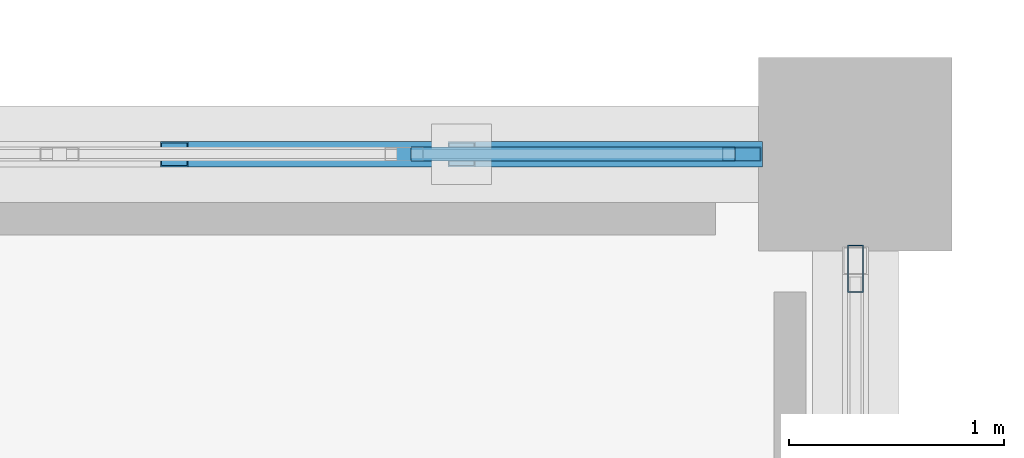
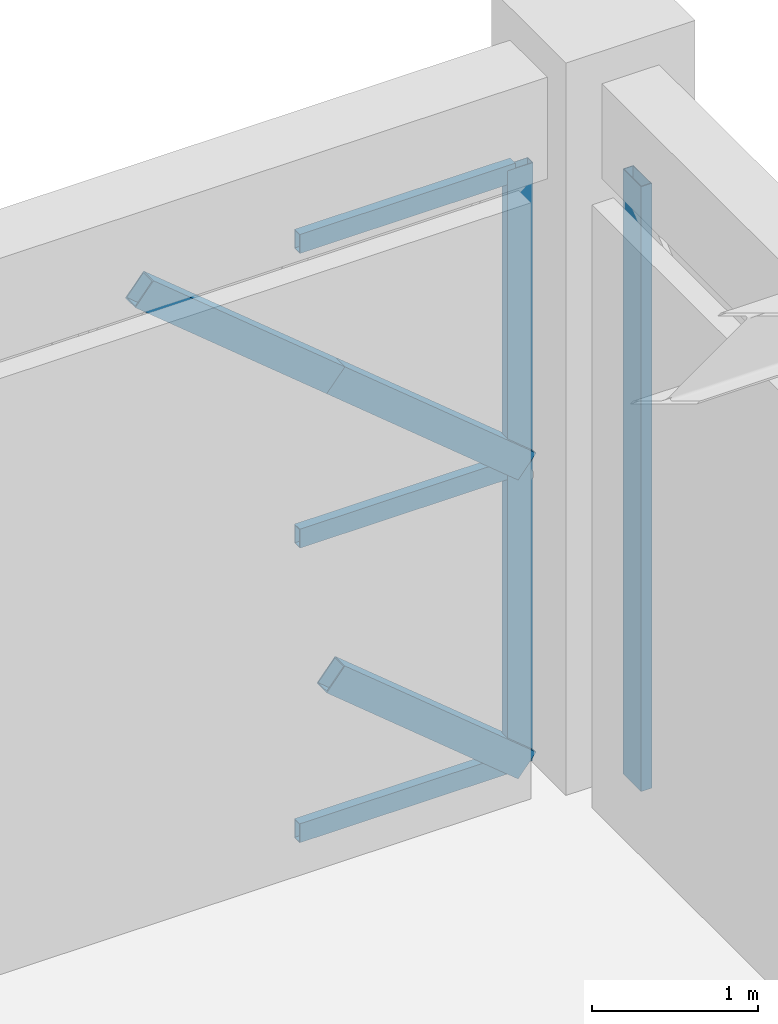
# One storey, part 102 of 155: 8 members, 2 elements without a shape of their own.
"""IFC4 building model written with IfcOpenShell, lengths in metres."""

from ifc_helpers import new_model, si_unit, direction, frame, origin, origin_2d, place, context, subcontext, project, spatial, hollow_rectangle, extrude, material, material_profile, profile_set, type_object, element, aggregate, save


model = new_model("IFC4")

# Units and contexts
model_context = context("Model", 3, precision=1e-05, world=origin(), true_north=direction((0.0, 1.0)))
body_context = subcontext(model_context, "Body", "Model", "MODEL_VIEW")
ifc_project = project(units=[si_unit("LENGTHUNIT", "METRE"), si_unit("AREAUNIT", "SQUARE_METRE"), si_unit("VOLUMEUNIT", "CUBIC_METRE"), si_unit("PLANEANGLEUNIT", "RADIAN"), si_unit("MASSUNIT", "GRAM", prefix="KILO")], contexts=[model_context])

# Site, building, storey
site_placement = place(None, origin())
site = spatial("IfcSite", under=ifc_project, at=site_placement, CompositionType="ELEMENT")
building_placement = place(site_placement, origin())
building = spatial("IfcBuilding", under=site, at=building_placement, Name="Haizhuo Lancet Aquarium", CompositionType="ELEMENT")
storey_placement = place(building_placement, frame((0.0, 0.0, 10.800048828125)))
storey = spatial("IfcBuildingStorey", under=building, at=storey_placement, Name="L02", CompositionType="ELEMENT", Elevation=10.800048828125)

# Curtain wall, member
ifc_material_1 = material(Name="Aluminium 6063-T6", Category="aluminium")
curtain_wall_type_1 = type_object("IfcCurtainWallType", Name="CWO-8010x4410", PredefinedType="NOTDEFINED", material=ifc_material_1)
curtain_wall_1_placement = place(storey_placement, origin())
curtain_wall_1 = element("IfcCurtainWall", 1, at=curtain_wall_1_placement, inside=storey, type_object=curtain_wall_type_1, Name="L02 curtain wall CW-V3-L02-055", PredefinedType="NOTDEFINED")
ifc_material_profile_1 = material_profile(ifc_material_1, hollow_rectangle(XDim=0.06494140625, YDim=0.179931640625, WallThickness=0.00390625, at=origin_2d()), Name="ALU-M 65x180x4")
ifc_profile_set_1 = profile_set([ifc_material_profile_1], Name="Aluminium 6063-T6")
member_type_1 = type_object("IfcMemberType", Name="CW-MUL-1", PredefinedType="MULLION", material=ifc_profile_set_1)
member_1_placement = place(storey_placement, frame((71.471923828125, -9.0, 0.0), z_axis=(0.0, 0.0, 1.0), x_axis=(0.0, 1.0, 0.0)))
member_1 = element("IfcMember", 2, at=member_1_placement, type_object=member_type_1, Name="CWO-80x44 mullion 6", PredefinedType="MULLION", context=body_context, shape_type="SweptSolid", body=[
    extrude(hollow_rectangle(XDim=0.06494140625, YDim=0.179931640625, WallThickness=0.00390625, at=origin_2d()), origin(), (0.0, 0.0, 1.0), 4.409912109375),
])

curtain_wall_type_2 = type_object("IfcCurtainWallType", Name="CWO-8010x4460", PredefinedType="NOTDEFINED", material=ifc_material_1)
curtain_wall_2_placement = place(storey_placement, origin())
curtain_wall_2 = element("IfcCurtainWall", 3, at=curtain_wall_2_placement, inside=storey, type_object=curtain_wall_type_2, Name="L02 curtain wall CW-V3-L02-056", PredefinedType="NOTDEFINED")
ifc_material_profile_2 = material_profile(ifc_material_1, hollow_rectangle(XDim=0.074951171875, YDim=0.219970703125, WallThickness=0.0048828125, at=origin_2d()), Name="ALU-M 75x220x5")
ifc_profile_set_2 = profile_set([ifc_material_profile_2], Name="Aluminium 6063-T6")
member_type_2 = type_object("IfcMemberType", Name="CW-MUL-2", PredefinedType="MULLION", material=ifc_profile_set_2)
member_2_placement = place(storey_placement, frame((72.0, -9.531982421875, 0.0), z_axis=(0.0, 0.0, 1.0), x_axis=(1.0, 0.0, 0.0)))
member_2 = element("IfcMember", 4, at=member_2_placement, type_object=member_type_2, Name="CWO-80x44 mullion 1", PredefinedType="MULLION", context=body_context, shape_type="SweptSolid", body=[
    extrude(hollow_rectangle(XDim=0.074951171875, YDim=0.219970703125, WallThickness=0.0048828125, at=origin_2d()), origin(), (0.0, 0.0, 1.0), 4.4599609375),
])
aggregate(curtain_wall_2, [member_2])

# Member
ifc_material_profile_3 = material_profile(ifc_material_1, hollow_rectangle(XDim=0.06494140625, YDim=0.139892578125, WallThickness=0.00390625, at=origin_2d()), Name="ALU-T 65x140x4")
ifc_profile_set_3 = profile_set([ifc_material_profile_3], Name="Aluminium 6063-T6")
member_type_3 = type_object("IfcMemberType", Name="CW-TRN-1", PredefinedType="NOTDEFINED", material=ifc_profile_set_3)
member_3_placement = place(storey_placement, frame((69.93505859375, -9.0, 0.032958984375), z_axis=(1.0, 0.0, 0.0), x_axis=(0.0, 1.0, 0.0)))
member_3 = element("IfcMember", 5, at=member_3_placement, type_object=member_type_3, Name="CWO-80x44 transom 5.1", ObjectType="TRANSOM", PredefinedType="USERDEFINED", context=body_context, shape_type="SweptSolid", body=[
    extrude(hollow_rectangle(XDim=0.06494140625, YDim=0.139892578125, WallThickness=0.00390625, at=origin_2d()), origin(), (0.0, 0.0, 1.0), 1.5048828125),
])

member_4_placement = place(storey_placement, frame((69.93505859375, -9.0, 2.204833984375), z_axis=(1.0, 0.0, 0.0), x_axis=(0.0, 1.0, 0.0)))
member_4 = element("IfcMember", 6, at=member_4_placement, type_object=member_type_3, Name="CWO-80x44 transom 5.2", ObjectType="TRANSOM", PredefinedType="USERDEFINED", context=body_context, shape_type="SweptSolid", body=[
    extrude(hollow_rectangle(XDim=0.06494140625, YDim=0.139892578125, WallThickness=0.00390625, at=origin_2d()), origin(), (0.0, 0.0, 1.0), 1.5048828125),
])

member_5_placement = place(storey_placement, frame((69.93505859375, -9.0, 4.3779296875), z_axis=(1.0, 0.0, 0.0), x_axis=(0.0, 1.0, 0.0)))
member_5 = element("IfcMember", 7, at=member_5_placement, type_object=member_type_3, Name="CWO-80x44 transom 5.3", ObjectType="TRANSOM", PredefinedType="USERDEFINED", context=body_context, shape_type="SweptSolid", body=[
    extrude(hollow_rectangle(XDim=0.06494140625, YDim=0.139892578125, WallThickness=0.00390625, at=origin_2d()), origin(), (0.0, 0.0, 1.0), 1.5048828125),
])

aggregate(curtain_wall_1, [member_1, member_3, member_4, member_5])

# Members
ifc_material_2 = material(Name="Steel S355", Category="steel")
ifc_material_profile_4 = material_profile(ifc_material_2, hollow_rectangle(XDim=0.1201171875, YDim=0.199951171875, WallThickness=0.008056640625, at=origin_2d()), Name="RHS 120x200x8")
ifc_profile_set_4 = profile_set([ifc_material_profile_4], Name="Steel S355")
member_type_4 = type_object("IfcMemberType", Name="MEM-LB-RHS120x200", PredefinedType="BRACE", material=ifc_profile_set_4)
member_6_placement = place(storey_placement, frame((71.5048828125, -9.0, 0.0), z_axis=(-0.771172467693, 0.0, 0.63662628368), x_axis=(0.0, -1.0, 0.0)))
element("IfcMember", 8, at=member_6_placement, inside=storey, type_object=member_type_4, Name="Gothic lancet split diagonal brace CW-V3-L02-055 5B1", PredefinedType="BRACE", context=body_context, shape_type="SweptSolid", body=[
    extrude(hollow_rectangle(XDim=0.1201171875, YDim=0.199951171875, WallThickness=0.008056640625, at=origin_2d()), origin(), (0.0, 0.0, 1.0), 1.731201171875),
])
member_7_placement = place(storey_placement, frame((71.5048828125, -9.0, 2.204833984375), z_axis=(-0.770895532931, 0.0, 0.636961597985), x_axis=(0.0, -1.0, 0.0)))
element("IfcMember", 9, at=member_7_placement, inside=storey, type_object=member_type_4, Name="Gothic lancet split diagonal brace CW-V3-L02-055 6B1", PredefinedType="BRACE", context=body_context, shape_type="SweptSolid", body=[
    extrude(hollow_rectangle(XDim=0.1201171875, YDim=0.199951171875, WallThickness=0.008056640625, at=origin_2d()), origin(), (0.0, 0.0, 1.0), 1.731689453125),
])
member_8_placement = place(storey_placement, frame((70.169921875, -9.0, 3.307861328125), z_axis=(-0.771172467693, 0.0, 0.63662628368), x_axis=(0.0, -1.0, 0.0)))
element("IfcMember", 10, at=member_8_placement, inside=storey, type_object=member_type_4, Name="Gothic lancet split diagonal brace CW-V3-L02-055 6B2", PredefinedType="BRACE", context=body_context, shape_type="SweptSolid", body=[
    extrude(hollow_rectangle(XDim=0.1201171875, YDim=0.199951171875, WallThickness=0.008056640625, at=origin_2d()), origin(), (0.0, 0.0, 1.0), 1.731201171875),
])

save(model, "model.ifc")
